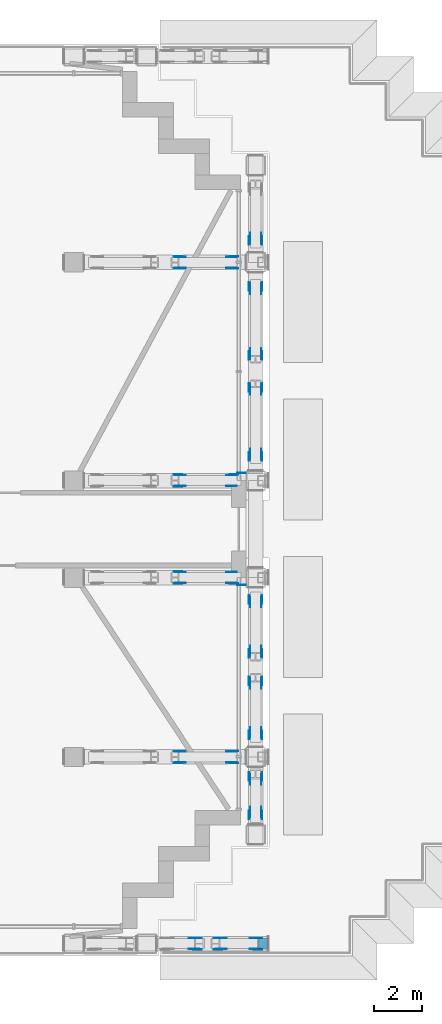
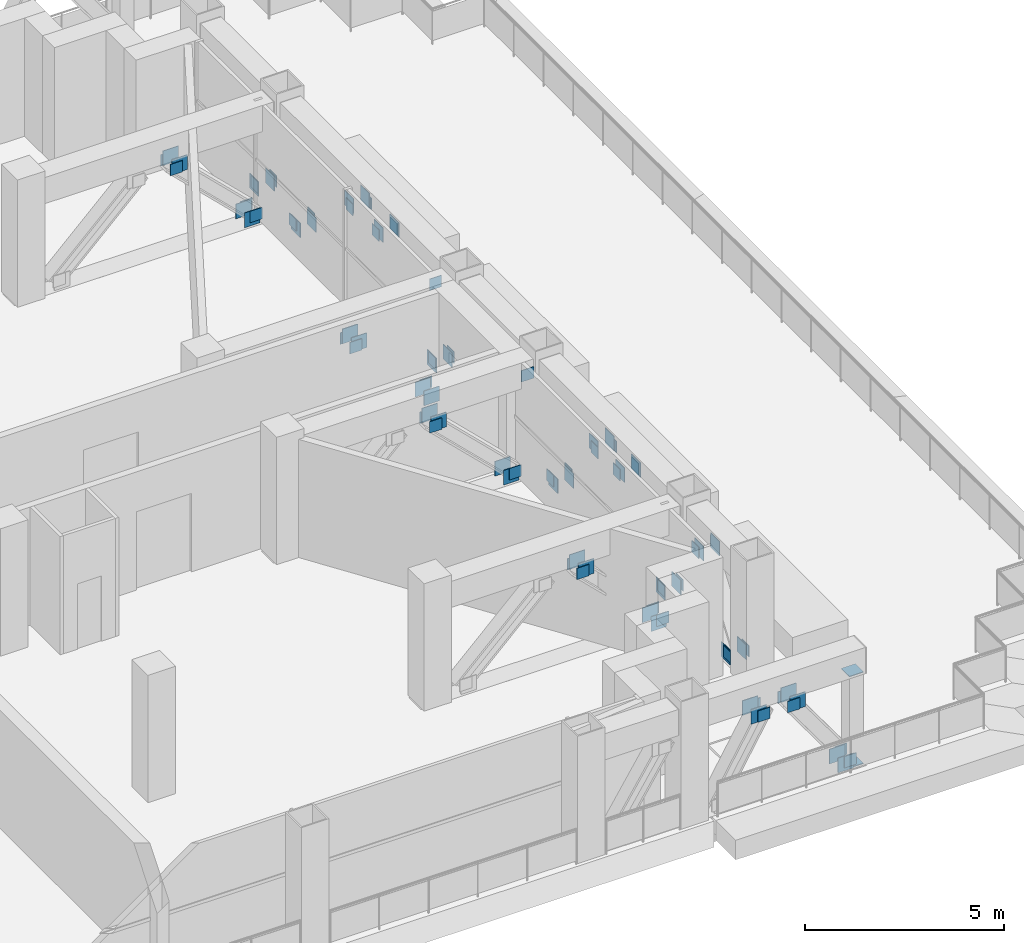
# One storey, part 21 of 25: 90 discrete accessories.
"""IFC4 building model written with IfcOpenShell, lengths in metres."""

import ifcopenshell
import ifcopenshell.guid

model = None  # the IFC model being written
_history = None  # IfcOwnerHistory: only IFC2X3 demands one
_inside = {}  # id of a spatial element -> (the spatial element, [elements in it])
_under = {}  # id of a project, library or spatial element -> (it, [spatial elements below it])
_declared = {}  # id of a project -> (the project, [libraries it declares])
_typed = {}  # id of a type object -> (the type object, [elements of that type])
_made_of = {}  # id of a material, layer set ... -> (it, [elements and type objects made of it])


def new_model(schema):
    """Start an empty IFC model of exactly this schema.

    Asked for "IFC4X3", IfcOpenShell would pick the latest addendum, in which some entities
    have other attributes; the version numbers below select the first issue.
    IFC2X3 requires an IfcOwnerHistory on every rooted entity: one is made here for all.
    """
    global model, _history
    if schema == "IFC4X3":
        model = ifcopenshell.file(schema_version=(4, 3, 0, 0))
    else:
        model = ifcopenshell.file(schema=schema)
    _inside.clear()
    _under.clear()
    _declared.clear()
    _typed.clear()
    _made_of.clear()
    _history = None
    if model.schema == "IFC2X3":
        org = make("IfcOrganization", Name="unknown")
        user = make(
            "IfcPersonAndOrganization",
            ThePerson=make("IfcPerson", FamilyName="unknown"),
            TheOrganization=org,
        )
        app = make(
            "IfcApplication",
            ApplicationDeveloper=org,
            Version="unknown",
            ApplicationFullName="unknown",
            ApplicationIdentifier="unknown",
        )
        _history = make(
            "IfcOwnerHistory",
            OwningUser=user,
            OwningApplication=app,
            ChangeAction="ADDED",
            CreationDate=0,
        )
    return model


def make(cls, **values):
    """One entity of the class cls with the attributes given. An attribute that is None is left unset."""
    return model.create_entity(
        cls, **{name: value for name, value in values.items() if value is not None}
    )


def rooted(cls, **values):
    """An entity with a GlobalId (a new one), such as an element, a storey or a relation."""
    return make(cls, GlobalId=ifcopenshell.guid.new(), OwnerHistory=_history, **values)


def si_unit(unit_type, name, prefix=None):
    """IfcSIUnit, for example si_unit("LENGTHUNIT", "METRE", prefix="MILLI")."""
    return make("IfcSIUnit", UnitType=unit_type, Prefix=prefix, Name=name)


def assignment(units):
    """IfcUnitAssignment: the units of a project."""
    return None if units is None else make("IfcUnitAssignment", Units=units)


def point(xyz):
    """IfcCartesianPoint."""
    return None if xyz is None else make("IfcCartesianPoint", Coordinates=xyz)


def direction(xyz):
    """IfcDirection."""
    return None if xyz is None else make("IfcDirection", DirectionRatios=xyz)


def frame(location, z_axis=None, x_axis=None):
    """IfcAxis2Placement3D, a coordinate frame: its origin and axes. An axis left out is left unset."""
    return make(
        "IfcAxis2Placement3D",
        Location=point(location),
        Axis=direction(z_axis),
        RefDirection=direction(x_axis),
    )


def frame_2d(location, x_axis=None):
    """IfcAxis2Placement2D, a coordinate frame in the plane: its origin and x axis."""
    return make(
        "IfcAxis2Placement2D", Location=point(location), RefDirection=direction(x_axis)
    )


def origin():
    """The frame at (0, 0, 0) with its axes left unset."""
    return frame((0.0, 0.0, 0.0))


def origin_2d():
    """The frame at (0, 0) in the plane with its x axis left unset."""
    return frame_2d((0.0, 0.0))


def place(relative_to, where):
    """IfcLocalPlacement: puts the frame where relative to a parent placement (None: the world)."""
    return make(
        "IfcLocalPlacement", PlacementRelTo=relative_to, RelativePlacement=where
    )


def context(
    kind, dimensions, precision=None, world=None, true_north=None, identifier=None
):
    """IfcGeometricRepresentationContext, for example the 3D "Model" context."""
    return make(
        "IfcGeometricRepresentationContext",
        ContextIdentifier=identifier,
        ContextType=kind,
        CoordinateSpaceDimension=dimensions,
        Precision=precision,
        WorldCoordinateSystem=world,
        TrueNorth=true_north,
    )


def subcontext(parent, identifier, kind, view, scale=None):
    """IfcGeometricRepresentationSubContext, for example "Body" below "Model"."""
    return make(
        "IfcGeometricRepresentationSubContext",
        ContextIdentifier=identifier,
        ContextType=kind,
        ParentContext=parent,
        TargetScale=scale,
        TargetView=view,
    )


def project(units=None, contexts=None):
    """IfcProject with its units and contexts."""
    return rooted(
        "IfcProject",
        Name="project",
        RepresentationContexts=contexts,
        UnitsInContext=assignment(units),
    )


def spatial(cls, under=None, at=None, **own):
    """A site, building, storey or space (cls), placed at a placement, below another one or the project."""
    s = rooted(cls, ObjectPlacement=at, **own)
    if under is not None:
        _under.setdefault(under.id(), (under, []))[1].append(s)
    return s


def profile(cls, at=None, kind="AREA", **sizes):
    """A parametric profile (cls). Its sizes go by their IFC names, for example OverallWidth=200.0."""
    return make(cls, ProfileType=kind, Position=at, **sizes)


def rectangle(**sizes):
    """IfcRectangleProfileDef."""
    return profile("IfcRectangleProfileDef", **sizes)


def extrude(swept, where, along, depth):
    """IfcExtrudedAreaSolid: the profile swept, set in the frame where, extruded along a direction by depth."""
    return make(
        "IfcExtrudedAreaSolid",
        SweptArea=swept,
        Position=where,
        ExtrudedDirection=direction(along),
        Depth=depth,
    )


def shape(context_of_items, identifier, shape_type, items):
    """IfcShapeRepresentation: the items that make up one representation, for example the "Body"."""
    return make(
        "IfcShapeRepresentation",
        ContextOfItems=context_of_items,
        RepresentationIdentifier=identifier,
        RepresentationType=shape_type,
        Items=items,
    )


def made_of(thing, what):
    """Note that an element or type object is made of a material, layer set ...; save() writes the relation."""
    if what is not None:
        _made_of.setdefault(what.id(), (what, []))[1].append(thing)
    return thing


def element(
    cls,
    number,
    at=None,
    inside=None,
    cuts=None,
    type_object=None,
    material=None,
    context=None,
    identifier="Body",
    shape_type=None,
    held_by="IfcProductDefinitionShape",
    body=None,
    shapes=None,
    **own,
):
    """One element of the class cls, such as IfcWall. Its Tag is "e" and its number.

    at: its placement. inside: the storey or other place that contains it. cuts: it is an
    opening in that element (IfcRelVoidsElement). A single representation is given by context,
    identifier, shape_type and body (its items); several are given by shapes. held_by: the class
    of the entity that holds the representations. save() writes the other relations.
    """
    e = rooted(cls, Tag="e%d" % number, ObjectPlacement=at, **own)
    if body is not None:
        shapes = [shape(context, identifier, shape_type, body)]
    if shapes is not None:
        e.Representation = make(held_by, Representations=shapes)
    if inside is not None:
        _inside.setdefault(inside.id(), (inside, []))[1].append(e)
    if cuts is not None:
        rooted(
            "IfcRelVoidsElement", RelatingBuildingElement=cuts, RelatedOpeningElement=e
        )
    if type_object is not None:
        _typed.setdefault(type_object.id(), (type_object, []))[1].append(e)
    return made_of(e, material)


def aggregate(whole, parts):
    """IfcRelAggregates: a whole, such as a stair, and the parts it consists of."""
    return rooted("IfcRelAggregates", RelatingObject=whole, RelatedObjects=parts)


def save(model, path):
    """Write the relations noted so far, then the file.

    IfcRelAggregates (storeys below a building ...), IfcRelContainedInSpatialStructure (elements
    in a storey), IfcRelDefinesByType, IfcRelAssociatesMaterial and IfcRelDeclares: one each for
    every whole, place, type object, material and project.
    """
    for whole, parts in _under.values():
        aggregate(whole, parts)
    for where, things in _inside.values():
        rooted(
            "IfcRelContainedInSpatialStructure",
            RelatedElements=things,
            RelatingStructure=where,
        )
    for kind, things in _typed.values():
        rooted("IfcRelDefinesByType", RelatedObjects=things, RelatingType=kind)
    for what, things in _made_of.values():
        rooted("IfcRelAssociatesMaterial", RelatedObjects=things, RelatingMaterial=what)
    for by, libraries in _declared.values():
        rooted("IfcRelDeclares", RelatingContext=by, RelatedDefinitions=libraries)
    model.write(path)


model = new_model("IFC4")

# Units and contexts
model_context = context("Model", 3, precision=1e-05, world=origin(), true_north=direction((0.0, 1.0)))
body_context = subcontext(model_context, "Body", "Model", "MODEL_VIEW")
ifc_project = project(units=[si_unit("LENGTHUNIT", "METRE"), si_unit("AREAUNIT", "SQUARE_METRE"), si_unit("VOLUMEUNIT", "CUBIC_METRE"), si_unit("PLANEANGLEUNIT", "RADIAN"), si_unit("MASSUNIT", "GRAM", prefix="KILO")], contexts=[model_context])

# Site, building, storey
site_placement = place(None, origin())
site = spatial("IfcSite", under=ifc_project, at=site_placement, CompositionType="ELEMENT")
building_placement = place(site_placement, origin())
building = spatial("IfcBuilding", under=site, at=building_placement, Name="Vidyagriha Tower", CompositionType="ELEMENT")
storey_placement = place(building_placement, frame((0.0, 0.0, 115.89990234375)))
storey = spatial("IfcBuildingStorey", under=building, at=storey_placement, Name="L29", CompositionType="ELEMENT", Elevation=115.89990234375)

# Discrete accessories
for number, where, name in (
    (1, (30.956298828125, -16.878173828125, 2.3701171875), "Truss gusset plate ASTM A572 Grade 50 20mm"),
    (2, (30.956298828125, -17.32177734375, 2.3701171875), "Truss gusset plate ASTM A572 Grade 50 20mm"),
    (3, (32.07421875, -16.878173828125, 2.3701171875), "Truss gusset plate ASTM A572 Grade 50 20mm"),
    (4, (32.07421875, -17.32177734375, 2.3701171875), "Truss gusset plate ASTM A572 Grade 50 20mm"),
    (5, (33.4755859375, -16.878173828125, 0.0), "Truss gusset plate ASTM A572 Grade 50 20mm"),
    (6, (33.4755859375, -17.32177734375, 0.0), "Truss gusset plate ASTM A572 Grade 50 20mm"),
    (7, (30.396240234375, -9.17822265625, 2.3701171875), "Truss gusset plate ASTM A572 Grade 50 20mm"),
    (8, (30.396240234375, -9.621826171875, 2.3701171875), "Truss gusset plate ASTM A572 Grade 50 20mm"),
    (9, (32.503662109375, -9.17822265625, 0.0), "Truss gusset plate ASTM A572 Grade 50 20mm"),
    (10, (32.503662109375, -9.621826171875, 0.0), "Truss gusset plate ASTM A572 Grade 50 20mm"),
    (11, (30.396240234375, -1.778076171875, 2.3701171875), "Truss gusset plate ASTM A572 Grade 50 20mm"),
    (12, (30.396240234375, -2.221923828125, 2.3701171875), "Truss gusset plate ASTM A572 Grade 50 20mm"),
    (13, (32.503662109375, -1.778076171875, 0.0), "Truss gusset plate ASTM A572 Grade 50 20mm"),
    (14, (32.503662109375, -2.221923828125, 0.0), "Truss gusset plate ASTM A572 Grade 50 20mm"),
    (15, (30.396240234375, 2.221923828125, 2.3701171875), "Truss gusset plate ASTM A572 Grade 50 20mm"),
    (16, (30.396240234375, 1.778076171875, 2.3701171875), "Truss gusset plate ASTM A572 Grade 50 20mm"),
    (17, (32.503662109375, 2.221923828125, 0.0), "Truss gusset plate ASTM A572 Grade 50 20mm"),
    (18, (32.503662109375, 1.778076171875, 0.0), "Truss gusset plate ASTM A572 Grade 50 20mm"),
    (19, (30.396240234375, 11.221923828125, 2.3701171875), "Truss gusset plate ASTM A572 Grade 50 20mm"),
    (20, (30.396240234375, 10.778076171875, 2.3701171875), "Truss gusset plate ASTM A572 Grade 50 20mm"),
    (21, (32.503662109375, 11.221923828125, 0.0), "Truss gusset plate ASTM A572 Grade 50 20mm"),
    (22, (32.503662109375, 10.778076171875, 0.0), "Truss gusset plate ASTM A572 Grade 50 20mm"),
):
    element("IfcDiscreteAccessory", number, at=place(storey_placement, frame(where)), inside=storey, Name=name, ObjectType="GUSSET PLATE", PredefinedType="USERDEFINED", context=body_context, shape_type="SweptSolid", body=[
        extrude(rectangle(XDim=0.449951171875, YDim=0.02001953125, at=origin_2d()), origin(), (0.0, 0.0, 1.0), 0.449951171875),
    ])
for number, where, z_axis, x_axis, name in (
    (23, (33.2705078125, -11.669677734375, 0.0), (0.0, 0.0, 1.0), (0.0, 1.0, 0.0), "Truss gusset plate ASTM A572 Grade 50 20mm"),
    (24, (33.7294921875, -11.669677734375, 0.0), (0.0, 0.0, 1.0), (0.0, 1.0, 0.0), "Truss gusset plate ASTM A572 Grade 50 20mm"),
    (25, (33.2705078125, -10.330322265625, 2.3701171875), (0.0, 0.0, 1.0), (0.0, 1.0, 0.0), "Truss gusset plate ASTM A572 Grade 50 20mm"),
    (26, (33.7294921875, -10.330322265625, 2.3701171875), (0.0, 0.0, 1.0), (0.0, 1.0, 0.0), "Truss gusset plate ASTM A572 Grade 50 20mm"),
    (27, (33.2705078125, -8.390625, 0.0), (0.0, 0.0, 1.0), (0.0, 1.0, 0.0), "Truss gusset plate ASTM A572 Grade 50 20mm"),
    (28, (33.7294921875, -8.390625, 0.0), (0.0, 0.0, 1.0), (0.0, 1.0, 0.0), "Truss gusset plate ASTM A572 Grade 50 20mm"),
    (29, (33.2705078125, -6.359375, 2.3701171875), (0.0, 0.0, 1.0), (0.0, 1.0, 0.0), "Truss gusset plate ASTM A572 Grade 50 20mm"),
    (30, (33.7294921875, -6.359375, 2.3701171875), (0.0, 0.0, 1.0), (0.0, 1.0, 0.0), "Truss gusset plate ASTM A572 Grade 50 20mm"),
    (31, (33.2705078125, -5.040771484375, 2.3701171875), (0.0, 0.0, 1.0), (0.0, 1.0, 0.0), "Truss gusset plate ASTM A572 Grade 50 20mm"),
    (32, (33.7294921875, -5.040771484375, 2.3701171875), (0.0, 0.0, 1.0), (0.0, 1.0, 0.0), "Truss gusset plate ASTM A572 Grade 50 20mm"),
    (33, (33.2705078125, -3.00927734375, 0.0), (0.0, 0.0, 1.0), (0.0, 1.0, 0.0), "Truss gusset plate ASTM A572 Grade 50 20mm"),
    (34, (33.7294921875, -3.00927734375, 0.0), (0.0, 0.0, 1.0), (0.0, 1.0, 0.0), "Truss gusset plate ASTM A572 Grade 50 20mm"),
    (35, (33.2705078125, 3.087890625, 0.0), (0.0, 0.0, 1.0), (0.0, 1.0, 0.0), "Truss gusset plate ASTM A572 Grade 50 20mm"),
    (36, (33.7294921875, 3.087890625, 0.0), (0.0, 0.0, 1.0), (0.0, 1.0, 0.0), "Truss gusset plate ASTM A572 Grade 50 20mm"),
    (37, (33.2705078125, 5.76220703125, 2.3701171875), (0.0, 0.0, 1.0), (0.0, 1.0, 0.0), "Truss gusset plate ASTM A572 Grade 50 20mm"),
    (38, (33.7294921875, 5.76220703125, 2.3701171875), (0.0, 0.0, 1.0), (0.0, 1.0, 0.0), "Truss gusset plate ASTM A572 Grade 50 20mm"),
    (39, (33.2705078125, 7.23779296875, 2.3701171875), (0.0, 0.0, 1.0), (0.0, 1.0, 0.0), "Truss gusset plate ASTM A572 Grade 50 20mm"),
    (40, (33.7294921875, 7.23779296875, 2.3701171875), (0.0, 0.0, 1.0), (0.0, 1.0, 0.0), "Truss gusset plate ASTM A572 Grade 50 20mm"),
    (41, (33.2705078125, 9.912109375, 0.0), (0.0, 0.0, 1.0), (0.0, 1.0, 0.0), "Truss gusset plate ASTM A572 Grade 50 20mm"),
    (42, (33.7294921875, 9.912109375, 0.0), (0.0, 0.0, 1.0), (0.0, 1.0, 0.0), "Truss gusset plate ASTM A572 Grade 50 20mm"),
    (43, (33.2705078125, 12.00439453125, 0.0), (0.0, 0.0, 1.0), (0.0, 1.0, 0.0), "Truss gusset plate ASTM A572 Grade 50 20mm"),
    (44, (33.7294921875, 12.00439453125, 0.0), (0.0, 0.0, 1.0), (0.0, 1.0, 0.0), "Truss gusset plate ASTM A572 Grade 50 20mm"),
):
    element("IfcDiscreteAccessory", number, at=place(storey_placement, frame(where, z_axis=z_axis, x_axis=x_axis)), inside=storey, Name=name, ObjectType="GUSSET PLATE", PredefinedType="USERDEFINED", context=body_context, shape_type="SweptSolid", body=[
        extrude(rectangle(XDim=0.449951171875, YDim=0.02001953125, at=origin_2d()), origin(), (0.0, 0.0, 1.0), 0.449951171875),
    ])
for number, where, name in (
    (45, (31.093017578125, -16.857666015625, 2.376708984375), "End plate ASTM A572 Grade 50 20mm"),
    (46, (31.093017578125, -17.34228515625, 2.376708984375), "End plate ASTM A572 Grade 50 20mm"),
):
    element("IfcDiscreteAccessory", number, at=place(storey_placement, frame(where)), inside=storey, Name=name, ObjectType="END PLATE", PredefinedType="USERDEFINED", context=body_context, shape_type="SweptSolid", body=[
        extrude(rectangle(XDim=0.35009765625, YDim=0.02001953125, at=origin_2d()), origin(), (0.0, 0.0, 1.0), 0.35009765625),
    ])
for number, where, z_axis, x_axis, name in (
    (47, (31.9521484375, -17.34228515625, 2.366943359375), (0.0, 0.0, 1.0), (-1.0, 0.0, 0.0), "End plate ASTM A572 Grade 50 20mm"),
    (48, (31.9521484375, -16.857666015625, 2.366943359375), (0.0, 0.0, 1.0), (-1.0, 0.0, 0.0), "End plate ASTM A572 Grade 50 20mm"),
):
    element("IfcDiscreteAccessory", number, at=place(storey_placement, frame(where, z_axis=z_axis, x_axis=x_axis)), inside=storey, Name=name, ObjectType="END PLATE", PredefinedType="USERDEFINED", context=body_context, shape_type="SweptSolid", body=[
        extrude(rectangle(XDim=0.35009765625, YDim=0.02001953125, at=origin_2d()), origin(), (0.0, 0.0, 1.0), 0.35009765625),
    ])
for number, where, name in (
    (49, (33.597900390625, -16.857666015625, 0.103271484375), "End plate ASTM A572 Grade 50 20mm"),
    (50, (33.597900390625, -17.34228515625, 0.103271484375), "End plate ASTM A572 Grade 50 20mm"),
):
    element("IfcDiscreteAccessory", number, at=place(storey_placement, frame(where)), inside=storey, Name=name, ObjectType="END PLATE", PredefinedType="USERDEFINED", context=body_context, shape_type="SweptSolid", body=[
        extrude(rectangle(XDim=0.35009765625, YDim=0.02001953125, at=origin_2d()), origin(), (0.0, 0.0, 1.0), 0.35009765625),
    ])
for number, where, name in (
    (51, (33.796875, -17.10009765625, 0.0), "End plate ASTM A572 Grade 50 20mm"),
    (52, (33.796875, -17.10009765625, 2.80029296875), "End plate ASTM A572 Grade 50 20mm"),
):
    element("IfcDiscreteAccessory", number, at=place(storey_placement, frame(where)), inside=storey, Name=name, ObjectType="END PLATE", PredefinedType="USERDEFINED", context=body_context, shape_type="SweptSolid", body=[
        extrude(rectangle(XDim=0.406494140625, YDim=0.406494140625, at=origin_2d()), origin(), (0.0, 0.0, 1.0), 0.02001953125),
    ])
for number, where, z_axis, x_axis, name in (
    (53, (30.296875, -9.642333984375, 2.3564453125), (0.0, 0.0, 1.0), (-1.0, 0.0, 0.0), "End plate ASTM A572 Grade 50 20mm"),
    (54, (30.296875, -9.15771484375, 2.3564453125), (0.0, 0.0, 1.0), (-1.0, 0.0, 0.0), "End plate ASTM A572 Grade 50 20mm"),
):
    element("IfcDiscreteAccessory", number, at=place(storey_placement, frame(where, z_axis=z_axis, x_axis=x_axis)), inside=storey, Name=name, ObjectType="END PLATE", PredefinedType="USERDEFINED", context=body_context, shape_type="SweptSolid", body=[
        extrude(rectangle(XDim=0.35009765625, YDim=0.02001953125, at=origin_2d()), origin(), (0.0, 0.0, 1.0), 0.35009765625),
    ])
for number, where, name in (
    (55, (32.603271484375, -9.15771484375, 0.11376953125), "End plate ASTM A572 Grade 50 20mm"),
    (56, (32.603271484375, -9.642333984375, 0.11376953125), "End plate ASTM A572 Grade 50 20mm"),
    (57, (32.925048828125, -2.31005859375, 3.045166015625), "End plate ASTM A572 Grade 50 20mm"),
):
    element("IfcDiscreteAccessory", number, at=place(storey_placement, frame(where)), inside=storey, Name=name, ObjectType="END PLATE", PredefinedType="USERDEFINED", context=body_context, shape_type="SweptSolid", body=[
        extrude(rectangle(XDim=0.35009765625, YDim=0.02001953125, at=origin_2d()), origin(), (0.0, 0.0, 1.0), 0.35009765625),
    ])
for number, where, z_axis, x_axis, name in (
    (58, (30.296875, -2.242431640625, 2.3564453125), (0.0, 0.0, 1.0), (-1.0, 0.0, 0.0), "End plate ASTM A572 Grade 50 20mm"),
    (59, (30.296875, -1.757568359375, 2.3564453125), (0.0, 0.0, 1.0), (-1.0, 0.0, 0.0), "End plate ASTM A572 Grade 50 20mm"),
):
    element("IfcDiscreteAccessory", number, at=place(storey_placement, frame(where, z_axis=z_axis, x_axis=x_axis)), inside=storey, Name=name, ObjectType="END PLATE", PredefinedType="USERDEFINED", context=body_context, shape_type="SweptSolid", body=[
        extrude(rectangle(XDim=0.35009765625, YDim=0.02001953125, at=origin_2d()), origin(), (0.0, 0.0, 1.0), 0.35009765625),
    ])
for number, where, name in (
    (60, (32.603271484375, -2.242431640625, 0.11376953125), "End plate ASTM A572 Grade 50 20mm"),
    (61, (32.925048828125, 2.31005859375, 3.045166015625), "End plate ASTM A572 Grade 50 20mm"),
):
    element("IfcDiscreteAccessory", number, at=place(storey_placement, frame(where)), inside=storey, Name=name, ObjectType="END PLATE", PredefinedType="USERDEFINED", context=body_context, shape_type="SweptSolid", body=[
        extrude(rectangle(XDim=0.35009765625, YDim=0.02001953125, at=origin_2d()), origin(), (0.0, 0.0, 1.0), 0.35009765625),
    ])
for number, where, z_axis, x_axis, name in (
    (62, (30.296875, 1.757568359375, 2.3564453125), (0.0, 0.0, 1.0), (-1.0, 0.0, 0.0), "End plate ASTM A572 Grade 50 20mm"),
    (63, (30.296875, 2.242431640625, 2.3564453125), (0.0, 0.0, 1.0), (-1.0, 0.0, 0.0), "End plate ASTM A572 Grade 50 20mm"),
):
    element("IfcDiscreteAccessory", number, at=place(storey_placement, frame(where, z_axis=z_axis, x_axis=x_axis)), inside=storey, Name=name, ObjectType="END PLATE", PredefinedType="USERDEFINED", context=body_context, shape_type="SweptSolid", body=[
        extrude(rectangle(XDim=0.35009765625, YDim=0.02001953125, at=origin_2d()), origin(), (0.0, 0.0, 1.0), 0.35009765625),
    ])
discrete_accessory_placement = place(storey_placement, frame((32.603271484375, 2.242431640625, 0.11376953125)))
element("IfcDiscreteAccessory", 64, at=discrete_accessory_placement, inside=storey, Name="End plate ASTM A572 Grade 50 20mm", ObjectType="END PLATE", PredefinedType="USERDEFINED", context=body_context, shape_type="SweptSolid", body=[
    extrude(rectangle(XDim=0.35009765625, YDim=0.02001953125, at=origin_2d()), origin(), (0.0, 0.0, 1.0), 0.35009765625),
])
for number, where, z_axis, x_axis, name in (
    (65, (30.296875, 10.757568359375, 2.3564453125), (0.0, 0.0, 1.0), (-1.0, 0.0, 0.0), "End plate ASTM A572 Grade 50 20mm"),
    (66, (30.296875, 11.242431640625, 2.3564453125), (0.0, 0.0, 1.0), (-1.0, 0.0, 0.0), "End plate ASTM A572 Grade 50 20mm"),
):
    element("IfcDiscreteAccessory", number, at=place(storey_placement, frame(where, z_axis=z_axis, x_axis=x_axis)), inside=storey, Name=name, ObjectType="END PLATE", PredefinedType="USERDEFINED", context=body_context, shape_type="SweptSolid", body=[
        extrude(rectangle(XDim=0.35009765625, YDim=0.02001953125, at=origin_2d()), origin(), (0.0, 0.0, 1.0), 0.35009765625),
    ])
for number, where, name in (
    (67, (32.603271484375, 11.242431640625, 0.11376953125), "End plate ASTM A572 Grade 50 20mm"),
    (68, (32.603271484375, 10.757568359375, 0.11376953125), "End plate ASTM A572 Grade 50 20mm"),
):
    element("IfcDiscreteAccessory", number, at=place(storey_placement, frame(where)), inside=storey, Name=name, ObjectType="END PLATE", PredefinedType="USERDEFINED", context=body_context, shape_type="SweptSolid", body=[
        extrude(rectangle(XDim=0.35009765625, YDim=0.02001953125, at=origin_2d()), origin(), (0.0, 0.0, 1.0), 0.35009765625),
    ])
for number, where, z_axis, x_axis, name in (
    (69, (33.7666015625, -11.79345703125, 0.1162109375), (0.0, 0.0, 1.0), (0.0, -1.0, 0.0), "End plate ASTM A572 Grade 50 20mm"),
    (70, (33.2333984375, -11.79345703125, 0.1162109375), (0.0, 0.0, 1.0), (0.0, -1.0, 0.0), "End plate ASTM A572 Grade 50 20mm"),
    (71, (33.2333984375, -10.20654296875, 2.353759765625), (0.0, 0.0, 1.0), (0.0, 1.0, 0.0), "End plate ASTM A572 Grade 50 20mm"),
    (72, (33.7666015625, -10.20654296875, 2.353759765625), (0.0, 0.0, 1.0), (0.0, 1.0, 0.0), "End plate ASTM A572 Grade 50 20mm"),
    (73, (33.7666015625, -8.4912109375, 0.13037109375), (0.0, 0.0, 1.0), (0.0, -1.0, 0.0), "End plate ASTM A572 Grade 50 20mm"),
    (74, (33.2333984375, -8.4912109375, 0.13037109375), (0.0, 0.0, 1.0), (0.0, -1.0, 0.0), "End plate ASTM A572 Grade 50 20mm"),
    (75, (33.2333984375, -6.2587890625, 2.339599609375), (0.0, 0.0, 1.0), (0.0, 1.0, 0.0), "End plate ASTM A572 Grade 50 20mm"),
    (76, (33.7666015625, -6.2587890625, 2.339599609375), (0.0, 0.0, 1.0), (0.0, 1.0, 0.0), "End plate ASTM A572 Grade 50 20mm"),
    (77, (33.7666015625, -5.141357421875, 2.339599609375), (0.0, 0.0, 1.0), (0.0, -1.0, 0.0), "End plate ASTM A572 Grade 50 20mm"),
    (78, (33.2333984375, -5.141357421875, 2.339599609375), (0.0, 0.0, 1.0), (0.0, -1.0, 0.0), "End plate ASTM A572 Grade 50 20mm"),
    (79, (33.2333984375, -2.90869140625, 0.13037109375), (0.0, 0.0, 1.0), (0.0, 1.0, 0.0), "End plate ASTM A572 Grade 50 20mm"),
    (80, (33.7666015625, -2.90869140625, 0.13037109375), (0.0, 0.0, 1.0), (0.0, 1.0, 0.0), "End plate ASTM A572 Grade 50 20mm"),
    (81, (33.7666015625, 3.001220703125, 0.135009765625), (0.0, 0.0, 1.0), (0.0, -1.0, 0.0), "End plate ASTM A572 Grade 50 20mm"),
    (82, (33.2333984375, 3.001220703125, 0.135009765625), (0.0, 0.0, 1.0), (0.0, -1.0, 0.0), "End plate ASTM A572 Grade 50 20mm"),
    (83, (33.2333984375, 5.8486328125, 2.3349609375), (0.0, 0.0, 1.0), (0.0, 1.0, 0.0), "End plate ASTM A572 Grade 50 20mm"),
    (84, (33.7666015625, 5.8486328125, 2.3349609375), (0.0, 0.0, 1.0), (0.0, 1.0, 0.0), "End plate ASTM A572 Grade 50 20mm"),
    (85, (33.7666015625, 7.1513671875, 2.3349609375), (0.0, 0.0, 1.0), (0.0, -1.0, 0.0), "End plate ASTM A572 Grade 50 20mm"),
    (86, (33.2333984375, 7.1513671875, 2.3349609375), (0.0, 0.0, 1.0), (0.0, -1.0, 0.0), "End plate ASTM A572 Grade 50 20mm"),
    (87, (33.2333984375, 9.998779296875, 0.135009765625), (0.0, 0.0, 1.0), (0.0, 1.0, 0.0), "End plate ASTM A572 Grade 50 20mm"),
    (88, (33.7666015625, 9.998779296875, 0.135009765625), (0.0, 0.0, 1.0), (0.0, 1.0, 0.0), "End plate ASTM A572 Grade 50 20mm"),
    (89, (33.7666015625, 11.90283203125, 0.1298828125), (0.0, 0.0, 1.0), (0.0, -1.0, 0.0), "End plate ASTM A572 Grade 50 20mm"),
    (90, (33.2333984375, 11.90283203125, 0.1298828125), (0.0, 0.0, 1.0), (0.0, -1.0, 0.0), "End plate ASTM A572 Grade 50 20mm"),
):
    element("IfcDiscreteAccessory", number, at=place(storey_placement, frame(where, z_axis=z_axis, x_axis=x_axis)), inside=storey, Name=name, ObjectType="END PLATE", PredefinedType="USERDEFINED", context=body_context, shape_type="SweptSolid", body=[
        extrude(rectangle(XDim=0.35009765625, YDim=0.02001953125, at=origin_2d()), origin(), (0.0, 0.0, 1.0), 0.35009765625),
    ])

save(model, "model.ifc")
